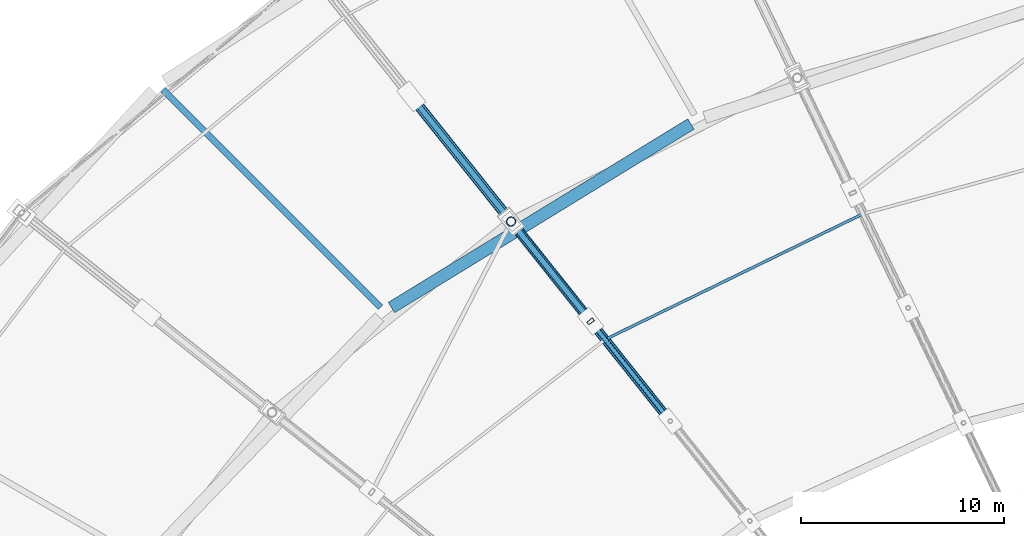
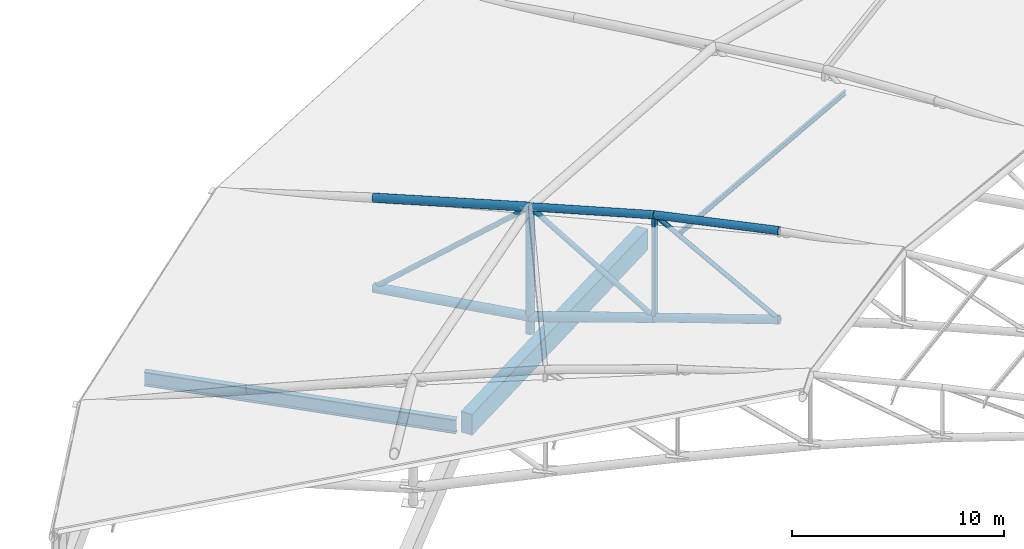
# One storey, part 43 of 108: 12 members, 2 beams.
"""IFC4 building model written with IfcOpenShell, lengths in metres."""

from ifc_helpers import new_model, si_unit, direction, frame, origin, origin_2d, place, context, subcontext, project, spatial, rectangle, hollow_rectangle, hollow_circle, i_section, extrude, material, material_profile, profile_set, type_object, element, save


model = new_model("IFC4")

# Units and contexts
model_context = context("Model", 3, precision=1e-05, world=origin(), true_north=direction((0.0, 1.0)))
body_context = subcontext(model_context, "Body", "Model", "MODEL_VIEW")
ifc_project = project(units=[si_unit("LENGTHUNIT", "METRE"), si_unit("AREAUNIT", "SQUARE_METRE"), si_unit("VOLUMEUNIT", "CUBIC_METRE"), si_unit("PLANEANGLEUNIT", "RADIAN"), si_unit("MASSUNIT", "GRAM", prefix="KILO")], contexts=[model_context])

# Site, building, storey
site_placement = place(None, origin())
site = spatial("IfcSite", under=ifc_project, at=site_placement, CompositionType="ELEMENT")
building_placement = place(site_placement, origin())
building = spatial("IfcBuilding", under=site, at=building_placement, Name="Zevraka Park Crest Stadium", CompositionType="ELEMENT")
storey_placement = place(building_placement, frame((0.0, 0.0, 29.39990234375)))
storey = spatial("IfcBuildingStorey", under=building, at=storey_placement, Name="RF", CompositionType="ELEMENT", Elevation=29.39990234375)

# Beam
ifc_material_1 = material(Name="Steel S355", Category="steel")
ifc_material_profile_1 = material_profile(ifc_material_1, i_section(OverallWidth=0.300048828125, OverallDepth=0.800048828125, WebThickness=0.017578125, FlangeThickness=0.032958984375, at=origin_2d()), Name="HEB 800")
ifc_profile_set_1 = profile_set([ifc_material_profile_1], Name="Steel S355")
beam_type_1 = type_object("IfcBeamType", Name="BG10", PredefinedType="BEAM", material=ifc_profile_set_1)
beam_1_placement = place(storey_placement, frame((59.10888671875, 134.284912109375, -0.534912109375), z_axis=(-0.707130872727, 0.707082688826, 0.0), x_axis=(-0.707082688826, -0.707130872727, 0.0)))
element("IfcBeam", 1, at=beam_1_placement, inside=storey, type_object=beam_type_1, Name="Radial Girder BG10 RF-BD-09", PredefinedType="BEAM", context=body_context, shape_type="SweptSolid", body=[
    extrude(i_section(OverallWidth=0.300048828125, OverallDepth=0.800048828125, WebThickness=0.017578125, FlangeThickness=0.032958984375, at=origin_2d()), origin(), (0.0, 0.0, 1.0), 15.200439453125),
])

# Member
ifc_material_2 = material(Name="Steel S355", Category="steel")
ifc_material_profile_2 = material_profile(ifc_material_2, i_section(OverallWidth=0.135009765625, OverallDepth=0.27001953125, WebThickness=0.006591796875, FlangeThickness=0.01025390625, at=origin_2d()), Name="IPE 270")
ifc_profile_set_2 = profile_set([ifc_material_profile_2], Name="Steel S355")
member_type_1 = type_object("IfcMemberType", Name="PR04", PredefinedType="PURLIN", material=ifc_profile_set_2)
member_1_placement = place(storey_placement, frame((82.907958984375, 138.89599609375, 7.488037109375), z_axis=(-0.898795149856, -0.438368884154, 0.0), x_axis=(0.438368884154, -0.898795149856, 0.0)))
element("IfcMember", 2, at=member_1_placement, inside=storey, type_object=member_type_1, Name="Canopy Roof Purlin PR04 OUTER-10-2", PredefinedType="PURLIN", context=body_context, shape_type="SweptSolid", body=[
    extrude(i_section(OverallWidth=0.135009765625, OverallDepth=0.27001953125, WebThickness=0.006591796875, FlangeThickness=0.01025390625, at=origin_2d()), origin(), (0.0, 0.0, 1.0), 14.1455078125),
])

# Beam
ifc_material_3 = material(Name="Concrete C40/50", Category="concrete")
ifc_material_profile_3 = material_profile(ifc_material_3, rectangle(XDim=0.60009765625, YDim=1.199951171875, at=origin_2d()), Name="RC 1200x600")
ifc_profile_set_3 = profile_set([ifc_material_profile_3], Name="Concrete C40/50")
beam_type_2 = type_object("IfcBeamType", Name="RB01", PredefinedType="BEAM", material=ifc_profile_set_3)
beam_2_placement = place(storey_placement, frame((74.426025390625, 143.330078125, -0.599853515625), z_axis=(-0.852632623571, -0.522510869956, 0.0), x_axis=(0.522510869956, -0.852632623571, 0.0)))
element("IfcBeam", 3, at=beam_2_placement, inside=storey, type_object=beam_type_2, Name="Ring Beam RB01 RF-B-08", PredefinedType="BEAM", context=body_context, shape_type="SweptSolid", body=[
    extrude(rectangle(XDim=0.60009765625, YDim=1.199951171875, at=origin_2d()), origin(), (0.0, 0.0, 1.0), 17.335693359375),
])

# Members
ifc_material_4 = material(Name="Steel S355", Category="steel")
ifc_material_profile_4 = material_profile(ifc_material_4, hollow_circle(Radius=0.25390625, WallThickness=0.030029296875, at=origin_2d()), Name="CHS 508.0x30")
ifc_profile_set_4 = profile_set([ifc_material_profile_4], Name="Steel S355")
member_type_2 = type_object("IfcMemberType", Name="TC01", PredefinedType="CHORD", material=ifc_profile_set_4)
member_2_placement = place(storey_placement, frame((60.6240234375, 144.695068359375, 0.550048828125), z_axis=(0.622941021259, -0.78101496827, 0.04427305469), x_axis=(0.781781530396, 0.623552434629, 0.0)))
element("IfcMember", 4, at=member_2_placement, inside=storey, type_object=member_type_2, Name="Roof Truss Bottom Chord TC01 T11-2", PredefinedType="CHORD", context=body_context, shape_type="SweptSolid", body=[
    extrude(hollow_circle(Radius=0.25390625, WallThickness=0.030029296875, at=origin_2d()), origin(), (0.0, 0.0, 1.0), 7.90771484375),
])
member_3_placement = place(storey_placement, frame((65.550048828125, 138.51904296875, 0.900146484375), z_axis=(0.605398728086, -0.759222458611, 0.238900896551), x_axis=(0.781862092926, 0.623451415626, 0.0)))
element("IfcMember", 5, at=member_3_placement, inside=storey, type_object=member_type_2, Name="Roof Truss Bottom Chord TC01 T11-3", PredefinedType="CHORD", context=body_context, shape_type="SweptSolid", body=[
    extrude(hollow_circle(Radius=0.25390625, WallThickness=0.030029296875, at=origin_2d()), origin(), (0.0, 0.0, 1.0), 6.48828125),
])
ifc_material_5 = material(Name="Steel S355", Category="steel")
ifc_material_profile_5 = material_profile(ifc_material_5, hollow_circle(Radius=0.228515625, WallThickness=0.02490234375, at=origin_2d()), Name="CHS 457.0x25")
ifc_profile_set_5 = profile_set([ifc_material_profile_5], Name="Steel S355")
member_type_3 = type_object("IfcMemberType", Name="TC02", PredefinedType="CHORD", material=ifc_profile_set_5)
member_4_placement = place(storey_placement, frame((65.550048828125, 138.51904296875, 0.0), z_axis=(0.0, 0.0, 1.0), x_axis=(-0.623470308046, 0.781847027868, 0.0)))
element("IfcMember", 6, at=member_4_placement, inside=storey, type_object=member_type_3, Name="Roof Truss Anchor Strut TC02 T11-2", PredefinedType="CHORD", context=body_context, shape_type="SweptSolid", body=[
    extrude(hollow_circle(Radius=0.228515625, WallThickness=0.02490234375, at=origin_2d()), origin(), (0.0, 0.0, 1.0), 7.2001953125),
])
member_5_placement = place(storey_placement, frame((60.6240234375, 144.695068359375, 5.7001953125), z_axis=(0.612607206278, -0.768058903564, 0.186542036743), x_axis=(0.781781530396, 0.623552434629, 0.0)))
element("IfcMember", 7, at=member_5_placement, inside=storey, type_object=member_type_3, Name="Roof Truss Top Chord TC02 T11-2", PredefinedType="CHORD", context=body_context, shape_type="SweptSolid", body=[
    extrude(hollow_circle(Radius=0.228515625, WallThickness=0.02490234375, at=origin_2d()), origin(), (0.0, 0.0, 1.0), 8.041015625),
])
member_6_placement = place(storey_placement, frame((69.47802734375, 133.593017578125, 2.4501953125), z_axis=(0.606568918372, -0.760539175233, 0.231634000527), x_axis=(0.781801834506, 0.623526977414, 0.0)))
element("IfcMember", 8, at=member_6_placement, inside=storey, type_object=member_type_3, Name="Roof Truss Bottom Chord TC02 T11-4", PredefinedType="CHORD", context=body_context, shape_type="SweptSolid", body=[
    extrude(hollow_circle(Radius=0.228515625, WallThickness=0.02490234375, at=origin_2d()), origin(), (0.0, 0.0, 1.0), 6.475830078125),
])
ifc_material_6 = material(Name="Steel S355", Category="steel")
ifc_material_profile_6 = material_profile(ifc_material_6, hollow_circle(Radius=0.203125, WallThickness=0.02001953125, at=origin_2d()), Name="CHS 406.4x20")
ifc_profile_set_6 = profile_set([ifc_material_profile_6], Name="Steel S355")
member_type_4 = type_object("IfcMemberType", Name="TC03", PredefinedType="CHORD", material=ifc_profile_set_6)
member_7_placement = place(storey_placement, frame((65.550048828125, 138.51904296875, 7.2001953125), z_axis=(0.613319917496, -0.769156316447, 0.179547318752), x_axis=(0.781862092926, 0.623451415626, 0.0)))
element("IfcMember", 9, at=member_7_placement, inside=storey, type_object=member_type_4, Name="Roof Truss Top Chord TC03 T11-3", PredefinedType="CHORD", context=body_context, shape_type="SweptSolid", body=[
    extrude(hollow_circle(Radius=0.203125, WallThickness=0.02001953125, at=origin_2d()), origin(), (0.0, 0.0, 1.0), 6.404541015625),
])
member_8_placement = place(storey_placement, frame((69.47802734375, 133.593017578125, 8.35009765625), z_axis=(0.619713383644, -0.777020205622, 0.110430621599), x_axis=(0.781801834506, 0.623526977414, 0.0)))
element("IfcMember", 10, at=member_8_placement, inside=storey, type_object=member_type_4, Name="Roof Truss Top Chord TC03 T11-4", PredefinedType="CHORD", context=body_context, shape_type="SweptSolid", body=[
    extrude(hollow_circle(Radius=0.203125, WallThickness=0.02001953125, at=origin_2d()), origin(), (0.0, 0.0, 1.0), 6.33837890625),
])
ifc_material_7 = material(Name="Steel S355", Category="steel")
ifc_material_profile_7 = material_profile(ifc_material_7, hollow_circle(Radius=0.136474609375, WallThickness=0.012451171875, at=origin_2d()), Name="CHS 273.0x12.5")
ifc_profile_set_7 = profile_set([ifc_material_profile_7], Name="Steel S355")
member_type_5 = type_object("IfcMemberType", Name="WB01", PredefinedType="BRACE", material=ifc_profile_set_7)
member_9_placement = place(storey_placement, frame((60.6240234375, 144.695068359375, 0.550048828125), z_axis=(0.477034607689, -0.598084178555, 0.643997902504), x_axis=(0.781781530396, 0.623552434629, 0.0)))
element("IfcMember", 11, at=member_9_placement, inside=storey, type_object=member_type_5, Name="Roof Truss Web Diagonal WB01 T11-2", PredefinedType="BRACE", context=body_context, shape_type="SweptSolid", body=[
    extrude(hollow_circle(Radius=0.136474609375, WallThickness=0.012451171875, at=origin_2d()), origin(), (0.0, 0.0, 1.0), 10.326416015625),
])
member_10_placement = place(storey_placement, frame((69.47802734375, 133.593017578125, 2.4501953125), z_axis=(-0.497822093895, 0.624312038567, 0.602003024353), x_axis=(-0.781862092926, -0.623451415626, 0.0)))
element("IfcMember", 12, at=member_10_placement, inside=storey, type_object=member_type_5, Name="Roof Truss Web Diagonal WB01 T11-3", PredefinedType="BRACE", context=body_context, shape_type="SweptSolid", body=[
    extrude(hollow_circle(Radius=0.136474609375, WallThickness=0.012451171875, at=origin_2d()), origin(), (0.0, 0.0, 1.0), 7.890380859375),
])
ifc_material_8 = material(Name="Steel S355", Category="steel")
ifc_material_profile_8 = material_profile(ifc_material_8, hollow_circle(Radius=0.122314453125, WallThickness=0.012451171875, at=origin_2d()), Name="CHS 244.5x12.5")
ifc_profile_set_8 = profile_set([ifc_material_profile_8], Name="Steel S355")
member_type_6 = type_object("IfcMemberType", Name="WB07", PredefinedType="BRACE", material=ifc_profile_set_8)
member_11_placement = place(storey_placement, frame((73.406005859375, 128.66796875, 3.9501953125), z_axis=(-0.511187534753, 0.64094636948, 0.572603751091), x_axis=(-0.781801834506, -0.623526977414, 0.0)))
element("IfcMember", 13, at=member_11_placement, inside=storey, type_object=member_type_6, Name="Roof Truss Web Diagonal WB07 T11-4", PredefinedType="BRACE", context=body_context, shape_type="SweptSolid", body=[
    extrude(hollow_circle(Radius=0.122314453125, WallThickness=0.012451171875, at=origin_2d()), origin(), (0.0, 0.0, 1.0), 7.68408203125),
])
ifc_material_9 = material(Name="Steel S355", Category="steel")
ifc_material_profile_9 = material_profile(ifc_material_9, hollow_rectangle(XDim=0.175048828125, YDim=0.35009765625, WallThickness=0.012451171875, at=origin_2d()), Name="RHS 350x175x12.5")
ifc_profile_set_9 = profile_set([ifc_material_profile_9], Name="Steel S355")
member_type_7 = type_object("IfcMemberType", Name="WB09", PredefinedType="BRACE", material=ifc_profile_set_9)
member_12_placement = place(storey_placement, frame((69.47802734375, 133.593017578125, 2.4501953125), z_axis=(0.0, 0.0, 1.0), x_axis=(-0.623470308046, 0.781847027868, 0.0)))
element("IfcMember", 14, at=member_12_placement, inside=storey, type_object=member_type_7, Name="Roof Truss Web Post WB09 T11-3", PredefinedType="BRACE", context=body_context, shape_type="SweptSolid", body=[
    extrude(hollow_rectangle(XDim=0.175048828125, YDim=0.35009765625, WallThickness=0.012451171875, at=origin_2d()), origin(), (0.0, 0.0, 1.0), 5.89990234375),
])

save(model, "model.ifc")
